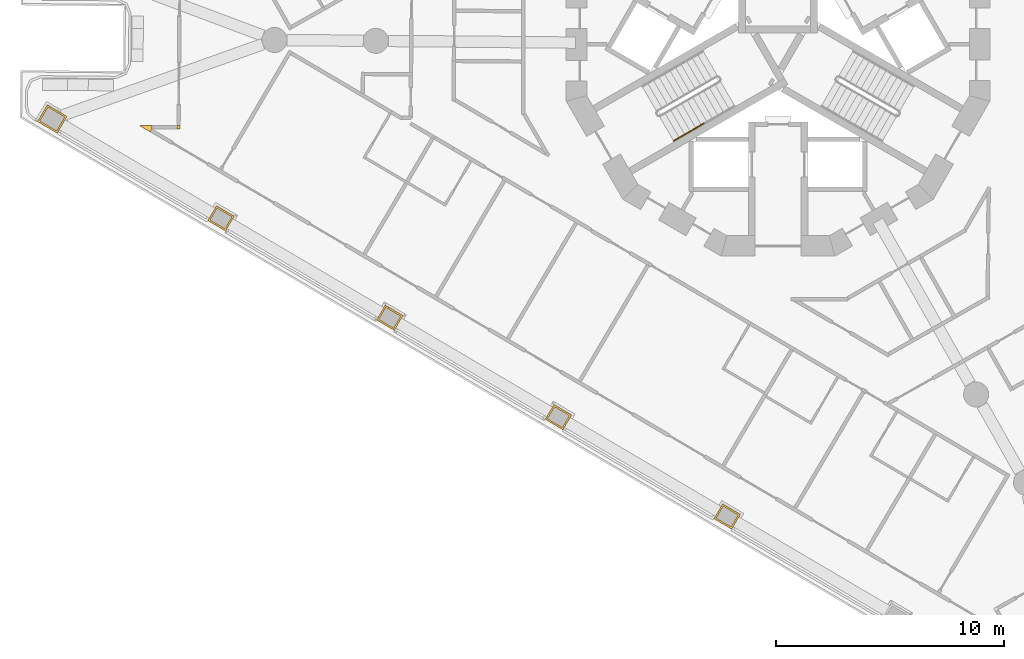
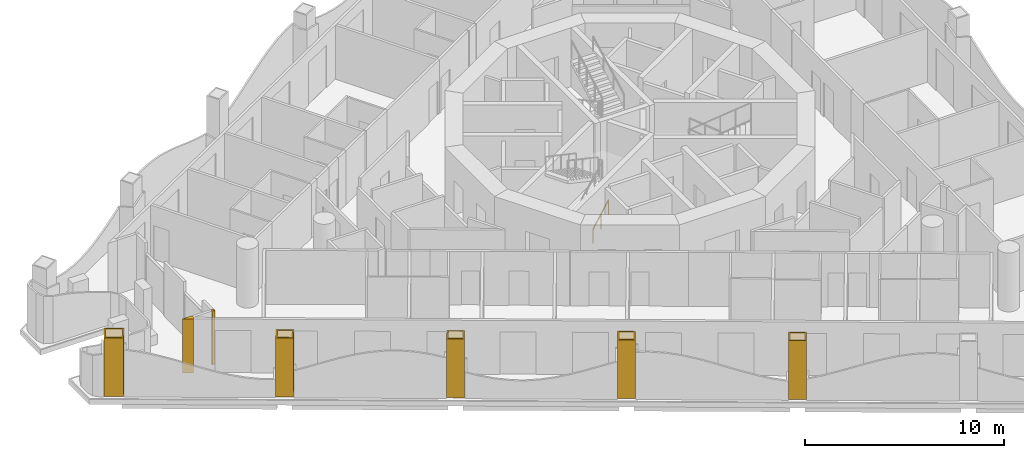
# One storey, part 12 of 18: 7 coverings, 1 railing.
"""IFC4 building model written with IfcOpenShell, lengths in metres."""

import ifcopenshell
import ifcopenshell.guid

model = None  # the IFC model being written
_history = None  # IfcOwnerHistory: only IFC2X3 demands one
_inside = {}  # id of a spatial element -> (the spatial element, [elements in it])
_under = {}  # id of a project, library or spatial element -> (it, [spatial elements below it])
_declared = {}  # id of a project -> (the project, [libraries it declares])
_typed = {}  # id of a type object -> (the type object, [elements of that type])
_made_of = {}  # id of a material, layer set ... -> (it, [elements and type objects made of it])


def new_model(schema):
    """Start an empty IFC model of exactly this schema.

    Asked for "IFC4X3", IfcOpenShell would pick the latest addendum, in which some entities
    have other attributes; the version numbers below select the first issue.
    IFC2X3 requires an IfcOwnerHistory on every rooted entity: one is made here for all.
    """
    global model, _history
    if schema == "IFC4X3":
        model = ifcopenshell.file(schema_version=(4, 3, 0, 0))
    else:
        model = ifcopenshell.file(schema=schema)
    _inside.clear()
    _under.clear()
    _declared.clear()
    _typed.clear()
    _made_of.clear()
    _history = None
    if model.schema == "IFC2X3":
        org = make("IfcOrganization", Name="unknown")
        user = make(
            "IfcPersonAndOrganization",
            ThePerson=make("IfcPerson", FamilyName="unknown"),
            TheOrganization=org,
        )
        app = make(
            "IfcApplication",
            ApplicationDeveloper=org,
            Version="unknown",
            ApplicationFullName="unknown",
            ApplicationIdentifier="unknown",
        )
        _history = make(
            "IfcOwnerHistory",
            OwningUser=user,
            OwningApplication=app,
            ChangeAction="ADDED",
            CreationDate=0,
        )
    return model


def make(cls, **values):
    """One entity of the class cls with the attributes given. An attribute that is None is left unset."""
    return model.create_entity(
        cls, **{name: value for name, value in values.items() if value is not None}
    )


def rooted(cls, **values):
    """An entity with a GlobalId (a new one), such as an element, a storey or a relation."""
    return make(cls, GlobalId=ifcopenshell.guid.new(), OwnerHistory=_history, **values)


def si_unit(unit_type, name, prefix=None):
    """IfcSIUnit, for example si_unit("LENGTHUNIT", "METRE", prefix="MILLI")."""
    return make("IfcSIUnit", UnitType=unit_type, Prefix=prefix, Name=name)


def assignment(units):
    """IfcUnitAssignment: the units of a project."""
    return None if units is None else make("IfcUnitAssignment", Units=units)


def point(xyz):
    """IfcCartesianPoint."""
    return None if xyz is None else make("IfcCartesianPoint", Coordinates=xyz)


def direction(xyz):
    """IfcDirection."""
    return None if xyz is None else make("IfcDirection", DirectionRatios=xyz)


def frame(location, z_axis=None, x_axis=None):
    """IfcAxis2Placement3D, a coordinate frame: its origin and axes. An axis left out is left unset."""
    return make(
        "IfcAxis2Placement3D",
        Location=point(location),
        Axis=direction(z_axis),
        RefDirection=direction(x_axis),
    )


def frame_2d(location, x_axis=None):
    """IfcAxis2Placement2D, a coordinate frame in the plane: its origin and x axis."""
    return make(
        "IfcAxis2Placement2D", Location=point(location), RefDirection=direction(x_axis)
    )


def origin():
    """The frame at (0, 0, 0) with its axes left unset."""
    return frame((0.0, 0.0, 0.0))


def origin_2d():
    """The frame at (0, 0) in the plane with its x axis left unset."""
    return frame_2d((0.0, 0.0))


def place(relative_to, where):
    """IfcLocalPlacement: puts the frame where relative to a parent placement (None: the world)."""
    return make(
        "IfcLocalPlacement", PlacementRelTo=relative_to, RelativePlacement=where
    )


def context(
    kind, dimensions, precision=None, world=None, true_north=None, identifier=None
):
    """IfcGeometricRepresentationContext, for example the 3D "Model" context."""
    return make(
        "IfcGeometricRepresentationContext",
        ContextIdentifier=identifier,
        ContextType=kind,
        CoordinateSpaceDimension=dimensions,
        Precision=precision,
        WorldCoordinateSystem=world,
        TrueNorth=true_north,
    )


def subcontext(parent, identifier, kind, view, scale=None):
    """IfcGeometricRepresentationSubContext, for example "Body" below "Model"."""
    return make(
        "IfcGeometricRepresentationSubContext",
        ContextIdentifier=identifier,
        ContextType=kind,
        ParentContext=parent,
        TargetScale=scale,
        TargetView=view,
    )


def project(units=None, contexts=None):
    """IfcProject with its units and contexts."""
    return rooted(
        "IfcProject",
        Name="project",
        RepresentationContexts=contexts,
        UnitsInContext=assignment(units),
    )


def spatial(cls, under=None, at=None, **own):
    """A site, building, storey or space (cls), placed at a placement, below another one or the project."""
    s = rooted(cls, ObjectPlacement=at, **own)
    if under is not None:
        _under.setdefault(under.id(), (under, []))[1].append(s)
    return s


def polyline(points):
    """IfcPolyline through the points."""
    return make("IfcPolyline", Points=[point(p) for p in points])


def profile(cls, at=None, kind="AREA", **sizes):
    """A parametric profile (cls). Its sizes go by their IFC names, for example OverallWidth=200.0."""
    return make(cls, ProfileType=kind, Position=at, **sizes)


def circle(**sizes):
    """IfcCircleProfileDef."""
    return profile("IfcCircleProfileDef", **sizes)


def outline(outer, holes=None, kind="AREA"):
    """IfcArbitraryClosedProfileDef: a profile drawn as a closed curve; with holes, ...WithVoids."""
    if holes is None:
        return make("IfcArbitraryClosedProfileDef", ProfileType=kind, OuterCurve=outer)
    return make(
        "IfcArbitraryProfileDefWithVoids",
        ProfileType=kind,
        OuterCurve=outer,
        InnerCurves=holes,
    )


def extrude(swept, where, along, depth):
    """IfcExtrudedAreaSolid: the profile swept, set in the frame where, extruded along a direction by depth."""
    return make(
        "IfcExtrudedAreaSolid",
        SweptArea=swept,
        Position=where,
        ExtrudedDirection=direction(along),
        Depth=depth,
    )


def shape(context_of_items, identifier, shape_type, items):
    """IfcShapeRepresentation: the items that make up one representation, for example the "Body"."""
    return make(
        "IfcShapeRepresentation",
        ContextOfItems=context_of_items,
        RepresentationIdentifier=identifier,
        RepresentationType=shape_type,
        Items=items,
    )


def material(Name=None, Category=None):
    """IfcMaterial."""
    return make("IfcMaterial", Name=Name, Category=Category)


def layer(
    of_material, thickness, ventilated=None, Name=None, Category=None, Priority=None
):
    """IfcMaterialLayer: one layer of a wall or slab, of a material (None: an air gap)."""
    return make(
        "IfcMaterialLayer",
        Material=of_material,
        LayerThickness=thickness,
        IsVentilated=ventilated,
        Name=Name,
        Category=Category,
        Priority=Priority,
    )


def layer_set(layers, Name=None):
    """IfcMaterialLayerSet."""
    return make("IfcMaterialLayerSet", MaterialLayers=layers, LayerSetName=Name)


def made_of(thing, what):
    """Note that an element or type object is made of a material, layer set ...; save() writes the relation."""
    if what is not None:
        _made_of.setdefault(what.id(), (what, []))[1].append(thing)
    return thing


def type_object(cls, material=None, **own):
    """A type object (cls), such as IfcWallType, which elements share."""
    return made_of(rooted(cls, **own), material)


def element(
    cls,
    number,
    at=None,
    inside=None,
    cuts=None,
    type_object=None,
    material=None,
    context=None,
    identifier="Body",
    shape_type=None,
    held_by="IfcProductDefinitionShape",
    body=None,
    shapes=None,
    **own,
):
    """One element of the class cls, such as IfcWall. Its Tag is "e" and its number.

    at: its placement. inside: the storey or other place that contains it. cuts: it is an
    opening in that element (IfcRelVoidsElement). A single representation is given by context,
    identifier, shape_type and body (its items); several are given by shapes. held_by: the class
    of the entity that holds the representations. save() writes the other relations.
    """
    e = rooted(cls, Tag="e%d" % number, ObjectPlacement=at, **own)
    if body is not None:
        shapes = [shape(context, identifier, shape_type, body)]
    if shapes is not None:
        e.Representation = make(held_by, Representations=shapes)
    if inside is not None:
        _inside.setdefault(inside.id(), (inside, []))[1].append(e)
    if cuts is not None:
        rooted(
            "IfcRelVoidsElement", RelatingBuildingElement=cuts, RelatedOpeningElement=e
        )
    if type_object is not None:
        _typed.setdefault(type_object.id(), (type_object, []))[1].append(e)
    return made_of(e, material)


def aggregate(whole, parts):
    """IfcRelAggregates: a whole, such as a stair, and the parts it consists of."""
    return rooted("IfcRelAggregates", RelatingObject=whole, RelatedObjects=parts)


def save(model, path):
    """Write the relations noted so far, then the file.

    IfcRelAggregates (storeys below a building ...), IfcRelContainedInSpatialStructure (elements
    in a storey), IfcRelDefinesByType, IfcRelAssociatesMaterial and IfcRelDeclares: one each for
    every whole, place, type object, material and project.
    """
    for whole, parts in _under.values():
        aggregate(whole, parts)
    for where, things in _inside.values():
        rooted(
            "IfcRelContainedInSpatialStructure",
            RelatedElements=things,
            RelatingStructure=where,
        )
    for kind, things in _typed.values():
        rooted("IfcRelDefinesByType", RelatedObjects=things, RelatingType=kind)
    for what, things in _made_of.values():
        rooted("IfcRelAssociatesMaterial", RelatedObjects=things, RelatingMaterial=what)
    for by, libraries in _declared.values():
        rooted("IfcRelDeclares", RelatingContext=by, RelatedDefinitions=libraries)
    model.write(path)


model = new_model("IFC4")

# Units and contexts
model_context = context("Model", 3, precision=1e-05, world=origin(), true_north=direction((0.0, 1.0)))
body_context = subcontext(model_context, "Body", "Model", "MODEL_VIEW")
ifc_project = project(units=[si_unit("LENGTHUNIT", "METRE"), si_unit("AREAUNIT", "SQUARE_METRE"), si_unit("VOLUMEUNIT", "CUBIC_METRE"), si_unit("PLANEANGLEUNIT", "RADIAN"), si_unit("MASSUNIT", "GRAM", prefix="KILO")], contexts=[model_context])

# Site, building, storey
site_placement = place(None, origin())
site = spatial("IfcSite", under=ifc_project, at=site_placement, CompositionType="ELEMENT")
building_placement = place(site_placement, origin())
building = spatial("IfcBuilding", under=site, at=building_placement, Name="Trine Commons Tower", CompositionType="ELEMENT")
storey_placement = place(building_placement, frame((0.0, 0.0, 175.5)))
storey = spatial("IfcBuildingStorey", under=building, at=storey_placement, Name="L45", CompositionType="ELEMENT", Elevation=175.5)

# Coverings
ifc_material_1 = material(Name="Aluminium-framed insulated wall panel", Category="aluminium")
ifc_layer_1 = layer(ifc_material_1, 0.14990234375)
ifc_layer_set_1 = layer_set([ifc_layer_1], Name="Aluminium-framed insulated wall panel")
covering_type_1 = type_object("IfcCoveringType", Name="Glazing corner post, aluminium", PredefinedType="CLADDING", material=ifc_layer_set_1)
covering_1_placement = place(storey_placement, origin())
element("IfcCovering", 1, at=covering_1_placement, inside=storey, type_object=covering_type_1, Name="Glazing corner post 5-01", PredefinedType="CLADDING", context=body_context, shape_type="SweptSolid", body=[
    extrude(outline(polyline([(52.519775390625, 58.669921875), (52.595947265625, 58.799072265625), (52.59716796875, 58.948974609375), (52.037353515625, 58.953857421875), (52.519775390625, 58.669921875)])), origin(), (0.0, 0.0, 1.0), 3.300048828125),
])
covering_2_placement = place(storey_placement, origin())
element("IfcCovering", 2, at=covering_2_placement, inside=storey, type_object=covering_type_1, Name="Glazing corner post 5-02", PredefinedType="CLADDING", context=body_context, shape_type="SweptSolid", body=[
    extrude(outline(polyline([(53.681640625, 58.78955078125), (53.83154296875, 58.7880859375), (53.8330078125, 58.938232421875), (53.682861328125, 58.939453125), (53.681640625, 58.78955078125)])), origin(), (0.0, 0.0, 1.0), 3.300048828125),
])
ifc_material_2 = material(Name="Limestone, honed", Category="masonry")
ifc_layer_2 = layer(ifc_material_2, 0.074951171875)
ifc_layer_set_2 = layer_set([ifc_layer_2], Name="Limestone, honed")
covering_type_2 = type_object("IfcCoveringType", Name="Limestone column cladding 75", PredefinedType="CLADDING", material=ifc_layer_set_2)
covering_3_placement = place(storey_placement, origin())
element("IfcCovering", 3, at=covering_3_placement, inside=storey, type_object=covering_type_2, Name="Limestone pier cladding 5-03", PredefinedType="CLADDING", context=body_context, shape_type="SweptSolid", body=[
    extrude(outline(polyline([(77.57568359375, 42.384521484375), (77.195068359375, 41.73828125), (77.970703125, 41.281494140625), (78.351318359375, 41.927734375), (77.57568359375, 42.384521484375)]), holes=[polyline([(77.602294921875, 42.28173828125), (77.2978515625, 41.764892578125), (77.944091796875, 41.38427734375), (78.24853515625, 41.901123046875), (77.602294921875, 42.28173828125)])]), origin(), (0.0, 0.0, 1.0), 3.60009765625),
])
covering_4_placement = place(storey_placement, origin())
element("IfcCovering", 4, at=covering_4_placement, inside=storey, type_object=covering_type_2, Name="Limestone pier cladding 5-04", PredefinedType="CLADDING", context=body_context, shape_type="SweptSolid", body=[
    extrude(outline(polyline([(70.191162109375, 46.734375), (69.810302734375, 46.088134765625), (70.5859375, 45.63134765625), (70.966552734375, 46.277587890625), (70.191162109375, 46.734375)]), holes=[polyline([(70.2177734375, 46.631591796875), (69.9130859375, 46.11474609375), (70.559326171875, 45.734130859375), (70.864013671875, 46.251220703125), (70.2177734375, 46.631591796875)])]), origin(), (0.0, 0.0, 1.0), 3.60009765625),
])
covering_5_placement = place(storey_placement, origin())
element("IfcCovering", 5, at=covering_5_placement, inside=storey, type_object=covering_type_2, Name="Limestone pier cladding 5-05", PredefinedType="CLADDING", context=body_context, shape_type="SweptSolid", body=[
    extrude(outline(polyline([(62.806396484375, 51.084228515625), (62.42578125, 50.43798828125), (63.201171875, 49.981201171875), (63.581787109375, 50.62744140625), (62.806396484375, 51.084228515625)]), holes=[polyline([(62.8330078125, 50.981689453125), (62.5283203125, 50.464599609375), (63.174560546875, 50.083984375), (63.479248046875, 50.60107421875), (62.8330078125, 50.981689453125)])]), origin(), (0.0, 0.0, 1.0), 3.60009765625),
])
covering_6_placement = place(storey_placement, origin())
element("IfcCovering", 6, at=covering_6_placement, inside=storey, type_object=covering_type_2, Name="Limestone pier cladding 5-06", PredefinedType="CLADDING", context=body_context, shape_type="SweptSolid", body=[
    extrude(outline(polyline([(55.421630859375, 55.43408203125), (55.041015625, 54.7880859375), (55.81640625, 54.331298828125), (56.197265625, 54.977294921875), (55.421630859375, 55.43408203125)]), holes=[polyline([(55.4482421875, 55.33154296875), (55.143798828125, 54.814453125), (55.789794921875, 54.433837890625), (56.094482421875, 54.950927734375), (55.4482421875, 55.33154296875)])]), origin(), (0.0, 0.0, 1.0), 3.60009765625),
])
covering_7_placement = place(storey_placement, origin())
element("IfcCovering", 7, at=covering_7_placement, inside=storey, type_object=covering_type_2, Name="Limestone pier cladding 5-07", PredefinedType="CLADDING", context=body_context, shape_type="SweptSolid", body=[
    extrude(outline(polyline([(48.019287109375, 59.8525390625), (47.587890625, 59.1201171875), (48.449462890625, 58.612548828125), (48.880859375, 59.344970703125), (48.019287109375, 59.8525390625)]), holes=[polyline([(48.0458984375, 59.75), (47.690673828125, 59.146728515625), (48.423095703125, 58.71533203125), (48.7783203125, 59.318603515625), (48.0458984375, 59.75)])]), origin(), (0.0, 0.0, 1.0), 3.60009765625),
])

# Railing
ifc_material_3 = material(Name="Stainless steel handrail", Category="steel")
railing_type = type_object("IfcRailingType", Name="Stair handrail, steel 900", PredefinedType="HANDRAIL", material=ifc_material_3)
railing_placement = place(storey_placement, frame((75.43017578125, 58.27392578125, 0.14990234375)))
element("IfcRailing", 8, at=railing_placement, inside=storey, type_object=railing_type, Name="L45 ST2B stair handrail 1", PredefinedType="HANDRAIL", context=body_context, shape_type="SweptSolid", body=[
    extrude(circle(Radius=0.02099609375, at=origin_2d()), frame((0.0, 0.0, 0.87890625), z_axis=(0.763354580307, 0.440713956853, 0.472293333596), x_axis=(-0.499992328818, 0.866029832698, 0.0)), (0.0, 0.0, 1.0), 1.747314453125),
    extrude(circle(Radius=0.01513671875, at=origin_2d()), origin(), (0.0, 0.0, 1.0), 0.85791015625),
    extrude(circle(Radius=0.01513671875, at=origin_2d()), frame((0.6669921875, 0.385009765625, 0.41259765625)), (0.0, 0.0, 1.0), 0.85791015625),
    extrude(circle(Radius=0.01513671875, at=origin_2d()), frame((1.333740234375, 0.77001953125, 0.8251953125)), (0.0, 0.0, 1.0), 0.85791015625),
])

save(model, "model.ifc")
